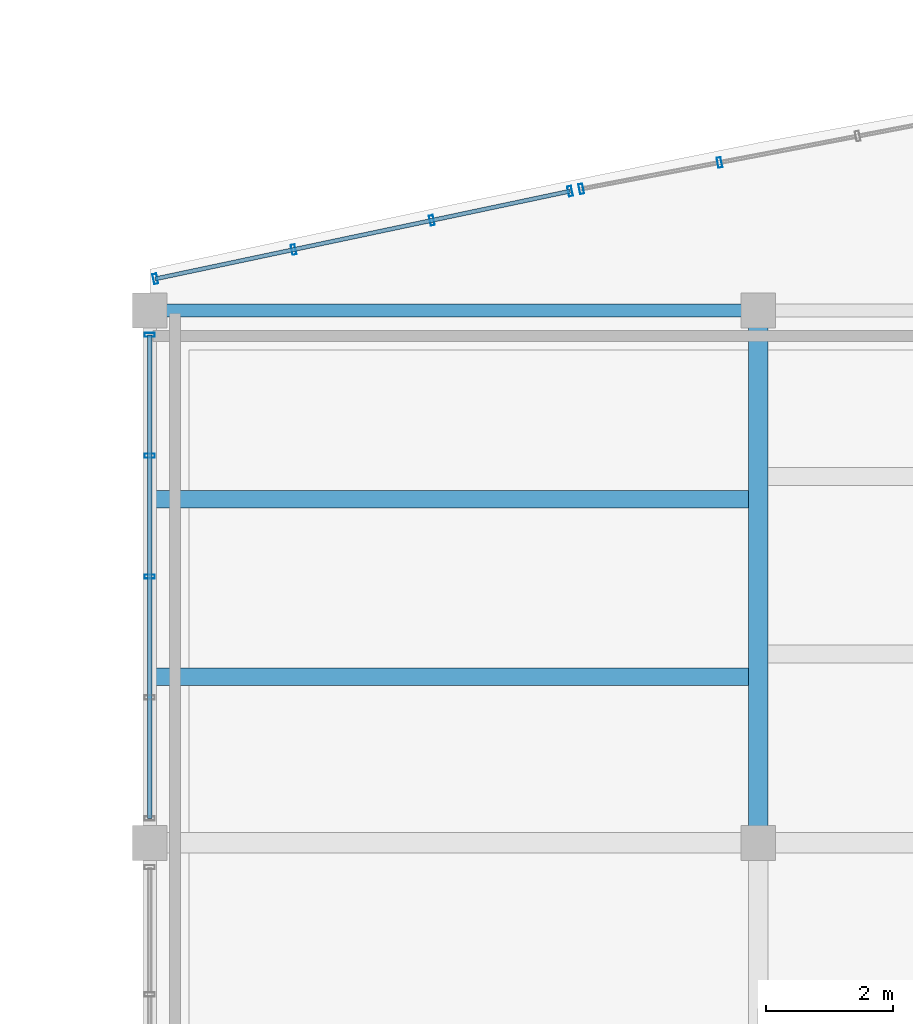
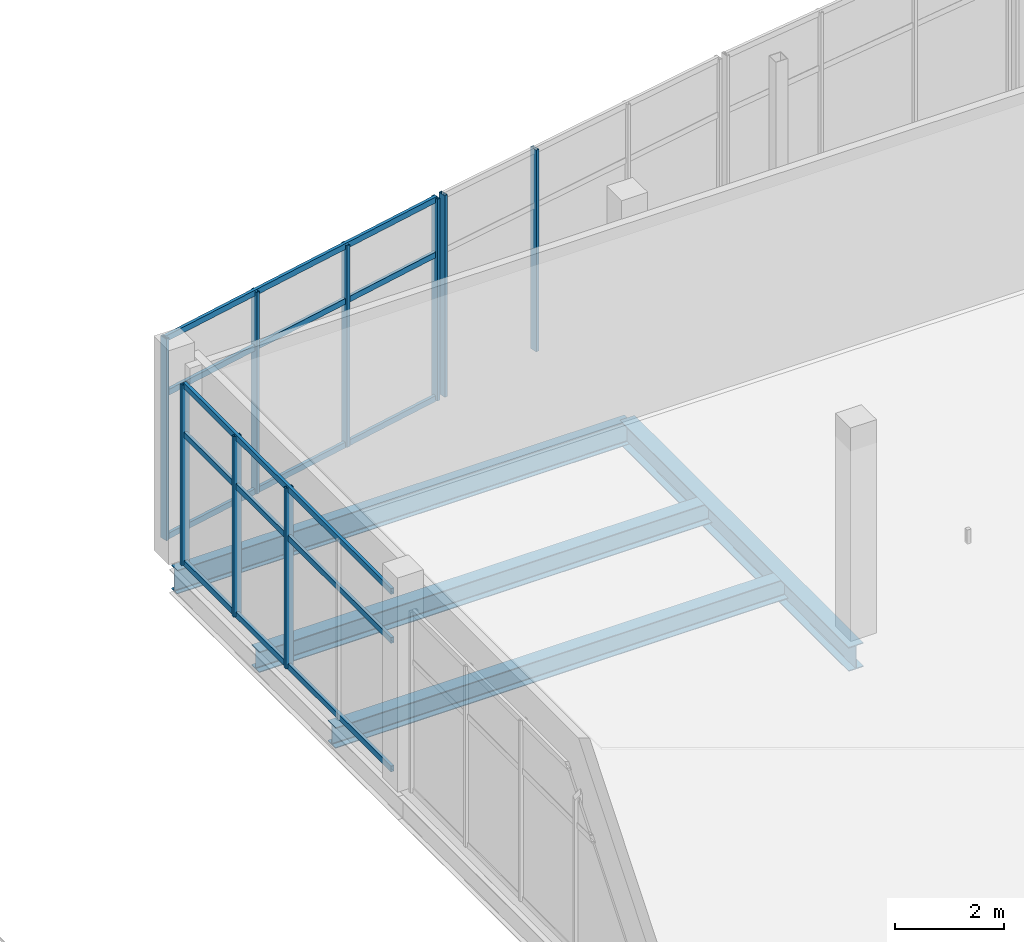
# One storey, part 77 of 157: 15 members, 4 beams, 3 elements without a shape of their own.
"""IFC4 building model written with IfcOpenShell, lengths in metres."""

from ifc_helpers import new_model, si_unit, direction, frame, origin, origin_2d, place, context, subcontext, project, spatial, hollow_rectangle, i_section, extrude, material, layer, layer_set, material_profile, profile_set, type_object, element, aggregate, save


model = new_model("IFC4")

# Units and contexts
model_context = context("Model", 3, precision=1e-05, world=origin(), true_north=direction((0.0, 1.0)))
body_context = subcontext(model_context, "Body", "Model", "MODEL_VIEW")
ifc_project = project(units=[si_unit("LENGTHUNIT", "METRE"), si_unit("AREAUNIT", "SQUARE_METRE"), si_unit("VOLUMEUNIT", "CUBIC_METRE"), si_unit("PLANEANGLEUNIT", "RADIAN"), si_unit("MASSUNIT", "GRAM", prefix="KILO")], contexts=[model_context])

# Site, building, storey
site_placement = place(None, origin())
site = spatial("IfcSite", under=ifc_project, at=site_placement, CompositionType="ELEMENT")
building_placement = place(site_placement, origin())
building = spatial("IfcBuilding", under=site, at=building_placement, Name="Chalmorin Arch Market", CompositionType="ELEMENT")
storey_placement = place(building_placement, frame((0.0, 0.0, 4.800048828125)))
storey = spatial("IfcBuildingStorey", under=building, at=storey_placement, Name="L01", CompositionType="ELEMENT", Elevation=4.800048828125)

# Curtain wall, members
ifc_material_1 = material(Name="Aluminium 6063-T6", Category="aluminium")
ifc_layer_1 = layer(ifc_material_1, 0.159912109375)
ifc_layer_set_1 = layer_set([ifc_layer_1], Name="Aluminium 6063-T6")
curtain_wall_type_1 = type_object("IfcCurtainWallType", Name="CulinaryStudioCurtainWall-CW3-7630x4050", PredefinedType="NOTDEFINED", material=ifc_layer_set_1)
curtain_wall_1_placement = place(storey_placement, origin())
curtain_wall_1 = element("IfcCurtainWall", 1, at=curtain_wall_1_placement, inside=storey, type_object=curtain_wall_type_1, Name="CW-03-118", PredefinedType="NOTDEFINED")
ifc_material_profile_1 = material_profile(ifc_material_1, hollow_rectangle(XDim=0.06494140625, YDim=0.159912109375, WallThickness=0.00390625, at=origin_2d()), Name="ALU65X160X4")
ifc_profile_set_1 = profile_set([ifc_material_profile_1], Name="Aluminium 6063-T6")
member_type_1 = type_object("IfcMemberType", Name="CurtainWallMullion-65x160", PredefinedType="MULLION", material=ifc_profile_set_1)
member_1_placement = place(storey_placement, frame((48.0, 113.800048828125, 0.0), z_axis=(0.0, 0.0, 1.0), x_axis=(0.0, 1.0, 0.0)))
member_1 = element("IfcMember", 2, at=member_1_placement, type_object=member_type_1, Name="ML-118-03", PredefinedType="MULLION", context=body_context, shape_type="SweptSolid", body=[
    extrude(hollow_rectangle(XDim=0.06494140625, YDim=0.159912109375, WallThickness=0.00390625, at=origin_2d()), origin(), (0.0, 0.0, 1.0), 4.0458984375),
])
member_2_placement = place(storey_placement, frame((48.0, 115.70751953125, 0.0), z_axis=(0.0, 0.0, 1.0), x_axis=(0.0, 1.0, 0.0)))
member_2 = element("IfcMember", 3, at=member_2_placement, type_object=member_type_1, Name="ML-118-04", PredefinedType="MULLION", context=body_context, shape_type="SweptSolid", body=[
    extrude(hollow_rectangle(XDim=0.06494140625, YDim=0.159912109375, WallThickness=0.00390625, at=origin_2d()), origin(), (0.0, 0.0, 1.0), 4.0458984375),
])
member_3_placement = place(storey_placement, frame((48.0, 117.614990234375, 0.0), z_axis=(0.0, 0.0, 1.0), x_axis=(0.0, 1.0, 0.0)))
member_3 = element("IfcMember", 4, at=member_3_placement, type_object=member_type_1, Name="ML-118-05", PredefinedType="MULLION", context=body_context, shape_type="SweptSolid", body=[
    extrude(hollow_rectangle(XDim=0.06494140625, YDim=0.159912109375, WallThickness=0.00390625, at=origin_2d()), origin(), (0.0, 0.0, 1.0), 4.0458984375),
])

ifc_layer_2 = layer(ifc_material_1, 0.159912109375)
ifc_layer_set_2 = layer_set([ifc_layer_2], Name="Aluminium 6063-T6")
curtain_wall_type_2 = type_object("IfcCurtainWallType", Name="CulinaryStudioCurtainWall-CW3-6690x4520", PredefinedType="NOTDEFINED", material=ifc_layer_set_2)
curtain_wall_2_placement = place(storey_placement, origin())
curtain_wall_2 = element("IfcCurtainWall", 5, at=curtain_wall_2_placement, inside=storey, type_object=curtain_wall_type_2, Name="CW-03-121", PredefinedType="NOTDEFINED")
member_4_placement = place(storey_placement, frame((48.088134765625, 118.49853515625, 0.0), z_axis=(0.0, 0.0, 1.0), x_axis=(0.978147600734, 0.207911690818, 0.0)))
member_4 = element("IfcMember", 6, at=member_4_placement, type_object=member_type_1, Name="ML-121-01", PredefinedType="MULLION", context=body_context, shape_type="SweptSolid", body=[
    extrude(hollow_rectangle(XDim=0.06494140625, YDim=0.159912109375, WallThickness=0.00390625, at=origin_2d()), origin(), (0.0, 0.0, 1.0), 4.52001953125),
])
member_5_placement = place(storey_placement, frame((50.269287109375, 118.9599609375, 0.0), z_axis=(0.0, 0.0, 1.0), x_axis=(0.978147600734, 0.207911690818, 0.0)))
member_5 = element("IfcMember", 7, at=member_5_placement, type_object=member_type_1, Name="ML-121-02", PredefinedType="MULLION", context=body_context, shape_type="SweptSolid", body=[
    extrude(hollow_rectangle(XDim=0.06494140625, YDim=0.159912109375, WallThickness=0.00390625, at=origin_2d()), origin(), (0.0, 0.0, 1.0), 4.52001953125),
])
member_6_placement = place(storey_placement, frame((52.45068359375, 119.421142578125, 0.0), z_axis=(0.0, 0.0, 1.0), x_axis=(0.978147600734, 0.207911690818, 0.0)))
member_6 = element("IfcMember", 8, at=member_6_placement, type_object=member_type_1, Name="ML-121-03", PredefinedType="MULLION", context=body_context, shape_type="SweptSolid", body=[
    extrude(hollow_rectangle(XDim=0.06494140625, YDim=0.159912109375, WallThickness=0.00390625, at=origin_2d()), origin(), (0.0, 0.0, 1.0), 4.52001953125),
])
member_7_placement = place(storey_placement, frame((54.6318359375, 119.88232421875, 0.0), z_axis=(0.0, 0.0, 1.0), x_axis=(0.978147600734, 0.207911690818, 0.0)))
member_7 = element("IfcMember", 9, at=member_7_placement, type_object=member_type_1, Name="ML-121-04", PredefinedType="MULLION", context=body_context, shape_type="SweptSolid", body=[
    extrude(hollow_rectangle(XDim=0.06494140625, YDim=0.159912109375, WallThickness=0.00390625, at=origin_2d()), origin(), (0.0, 0.0, 1.0), 4.52001953125),
])

ifc_layer_3 = layer(ifc_material_1, 0.159912109375)
ifc_layer_set_3 = layer_set([ifc_layer_3], Name="Aluminium 6063-T6")
curtain_wall_type_3 = type_object("IfcCurtainWallType", Name="CulinaryStudioCurtainWall-CW3-6660x4520", PredefinedType="NOTDEFINED", material=ifc_layer_set_3)
curtain_wall_3_placement = place(storey_placement, origin())
curtain_wall_3 = element("IfcCurtainWall", 10, at=curtain_wall_3_placement, inside=storey, type_object=curtain_wall_type_3, Name="CW-03-124", PredefinedType="NOTDEFINED")
member_8_placement = place(storey_placement, frame((54.808349609375, 119.91796875, 0.0), z_axis=(0.0, 0.0, 1.0), x_axis=(0.981627183448, 0.190808995377, 0.0)))
member_8 = element("IfcMember", 11, at=member_8_placement, type_object=member_type_1, Name="ML-124-01", PredefinedType="MULLION", context=body_context, shape_type="SweptSolid", body=[
    extrude(hollow_rectangle(XDim=0.06494140625, YDim=0.159912109375, WallThickness=0.00390625, at=origin_2d()), origin(), (0.0, 0.0, 1.0), 4.52001953125),
])
member_9_placement = place(storey_placement, frame((56.989501953125, 120.334228515625, 0.0), z_axis=(0.0, 0.0, 1.0), x_axis=(0.981627183448, 0.190808995377, 0.0)))
member_9 = element("IfcMember", 12, at=member_9_placement, type_object=member_type_1, Name="ML-124-02", PredefinedType="MULLION", context=body_context, shape_type="SweptSolid", body=[
    extrude(hollow_rectangle(XDim=0.06494140625, YDim=0.159912109375, WallThickness=0.00390625, at=origin_2d()), origin(), (0.0, 0.0, 1.0), 4.52001953125),
])
aggregate(curtain_wall_3, [member_8, member_9])

# Member
ifc_material_profile_2 = material_profile(ifc_material_1, hollow_rectangle(XDim=0.06494140625, YDim=0.1298828125, WallThickness=0.00390625, at=origin_2d()), Name="ALU65X130X4")
ifc_profile_set_2 = profile_set([ifc_material_profile_2], Name="Aluminium 6063-T6")
member_type_2 = type_object("IfcMemberType", Name="CurtainWallTransom-65x130", PredefinedType="USERDEFINED", material=ifc_profile_set_2)
member_10_placement = place(storey_placement, frame((48.0, 109.985107421875, 0.034912109375), z_axis=(0.0, 1.0, 0.0), x_axis=(-1.0, 0.0, 0.0)))
member_10 = element("IfcMember", 13, at=member_10_placement, type_object=member_type_2, Name="TR-118-01", ObjectType="TRANSOM", PredefinedType="USERDEFINED", context=body_context, shape_type="SweptSolid", body=[
    extrude(hollow_rectangle(XDim=0.06494140625, YDim=0.1298828125, WallThickness=0.00390625, at=origin_2d()), origin(), (0.0, 0.0, 1.0), 7.6298828125),
])

member_11_placement = place(storey_placement, frame((48.0, 109.985107421875, 2.9130859375), z_axis=(0.0, 1.0, 0.0), x_axis=(-1.0, 0.0, 0.0)))
member_11 = element("IfcMember", 14, at=member_11_placement, type_object=member_type_2, Name="TR-118-02", ObjectType="TRANSOM", PredefinedType="USERDEFINED", context=body_context, shape_type="SweptSolid", body=[
    extrude(hollow_rectangle(XDim=0.06494140625, YDim=0.1298828125, WallThickness=0.00390625, at=origin_2d()), origin(), (0.0, 0.0, 1.0), 7.6298828125),
])

member_12_placement = place(storey_placement, frame((48.0, 109.985107421875, 4.010986328125), z_axis=(0.0, 1.0, 0.0), x_axis=(-1.0, 0.0, 0.0)))
member_12 = element("IfcMember", 15, at=member_12_placement, type_object=member_type_2, Name="TR-118-03", ObjectType="TRANSOM", PredefinedType="USERDEFINED", context=body_context, shape_type="SweptSolid", body=[
    extrude(hollow_rectangle(XDim=0.06494140625, YDim=0.1298828125, WallThickness=0.00390625, at=origin_2d()), origin(), (0.0, 0.0, 1.0), 7.6298828125),
])

aggregate(curtain_wall_1, [member_1, member_2, member_3, member_10, member_11, member_12])

member_13_placement = place(storey_placement, frame((48.088134765625, 118.49853515625, 0.034912109375), z_axis=(0.978363487727, 0.206893416723, 0.0), x_axis=(-0.206893416723, 0.978363487727, 0.0)))
member_13 = element("IfcMember", 16, at=member_13_placement, type_object=member_type_2, Name="TR-121-01", ObjectType="TRANSOM", PredefinedType="USERDEFINED", context=body_context, shape_type="SweptSolid", body=[
    extrude(hollow_rectangle(XDim=0.06494140625, YDim=0.1298828125, WallThickness=0.00390625, at=origin_2d()), origin(), (0.0, 0.0, 1.0), 6.6884765625),
])

member_14_placement = place(storey_placement, frame((48.088134765625, 118.49853515625, 3.25439453125), z_axis=(0.978363487727, 0.206893416723, 0.0), x_axis=(-0.206893416723, 0.978363487727, 0.0)))
member_14 = element("IfcMember", 17, at=member_14_placement, type_object=member_type_2, Name="TR-121-02", ObjectType="TRANSOM", PredefinedType="USERDEFINED", context=body_context, shape_type="SweptSolid", body=[
    extrude(hollow_rectangle(XDim=0.06494140625, YDim=0.1298828125, WallThickness=0.00390625, at=origin_2d()), origin(), (0.0, 0.0, 1.0), 6.6884765625),
])

member_15_placement = place(storey_placement, frame((48.088134765625, 118.49853515625, 4.48486328125), z_axis=(0.978363487727, 0.206893416723, 0.0), x_axis=(-0.206893416723, 0.978363487727, 0.0)))
member_15 = element("IfcMember", 18, at=member_15_placement, type_object=member_type_2, Name="TR-121-03", ObjectType="TRANSOM", PredefinedType="USERDEFINED", context=body_context, shape_type="SweptSolid", body=[
    extrude(hollow_rectangle(XDim=0.06494140625, YDim=0.1298828125, WallThickness=0.00390625, at=origin_2d()), origin(), (0.0, 0.0, 1.0), 6.6884765625),
])

aggregate(curtain_wall_2, [member_4, member_5, member_6, member_7, member_13, member_14, member_15])

# Beams
ifc_material_2 = material(Name="Steel A992 Grade 50", Category="steel")
ifc_material_profile_3 = material_profile(ifc_material_2, i_section(OverallWidth=0.31201171875, OverallDepth=0.54296875, WebThickness=0.0126953125, FlangeThickness=0.020263671875, FilletRadius=0.02197265625, at=origin_2d()), Name="W21X101")
ifc_profile_set_3 = profile_set([ifc_material_profile_3], Name="Steel A992 Grade 50")
beam_type_1 = type_object("IfcBeamType", Name="KitchenSteelGirder-W21X101", PredefinedType="BEAM", material=ifc_profile_set_3)
beam_1_placement = place(storey_placement, frame((57.60009765625, 109.60009765625, -0.593505859375), z_axis=(0.0, 1.0, 0.0), x_axis=(-1.0, 0.0, 0.0)))
element("IfcBeam", 19, at=beam_1_placement, inside=storey, type_object=beam_type_1, Name="BG-W21C-0893", PredefinedType="BEAM", context=body_context, shape_type="SweptSolid", body=[
    extrude(i_section(OverallWidth=0.31201171875, OverallDepth=0.54296875, WebThickness=0.0126953125, FlangeThickness=0.020263671875, FilletRadius=0.02197265625, at=origin_2d()), origin(), (0.0, 0.0, 1.0), 8.39990234375),
])
ifc_material_profile_4 = material_profile(ifc_material_2, i_section(OverallWidth=0.208984375, OverallDepth=0.532958984375, WebThickness=0.01025390625, FlangeThickness=0.015625, FilletRadius=0.02197265625, at=origin_2d()), Name="W21X62")
ifc_profile_set_4 = profile_set([ifc_material_profile_4], Name="Steel A992 Grade 50")
beam_type_2 = type_object("IfcBeamType", Name="PerimeterSpandrelBeam-W21X62", PredefinedType="SPANDREL", material=ifc_profile_set_4)
beam_2_placement = place(storey_placement, frame((48.0, 118.0, -0.588623046875), z_axis=(1.0, 0.0, 0.0), x_axis=(0.0, 1.0, 0.0)))
element("IfcBeam", 20, at=beam_2_placement, inside=storey, type_object=beam_type_2, Name="SP-W21-0891", PredefinedType="SPANDREL", context=body_context, shape_type="SweptSolid", body=[
    extrude(i_section(OverallWidth=0.208984375, OverallDepth=0.532958984375, WebThickness=0.01025390625, FlangeThickness=0.015625, FilletRadius=0.02197265625, at=origin_2d()), origin(), (0.0, 0.0, 1.0), 9.60009765625),
])
ifc_material_profile_5 = material_profile(ifc_material_2, i_section(OverallWidth=0.280029296875, OverallDepth=0.462890625, WebThickness=0.0107421875, FlangeThickness=0.017333984375, FilletRadius=0.02001953125, at=origin_2d()), Name="W18X76")
ifc_profile_set_5 = profile_set([ifc_material_profile_5], Name="Steel A992 Grade 50")
beam_type_3 = type_object("IfcBeamType", Name="WorkshopSteelBeam-W18X76", PredefinedType="BEAM", material=ifc_profile_set_5)
for number, where, z_axis, x_axis, name in (
    (21, (48.0, 112.219970703125, -0.553466796875), (1.0, 0.0, 0.0), (0.0, 1.0, 0.0), "BM-W18C-0966"),
    (22, (48.0, 115.02001953125, -0.553466796875), (1.0, 0.0, 0.0), (0.0, 1.0, 0.0), "BM-W18C-0967"),
):
    element("IfcBeam", number, at=place(storey_placement, frame(where, z_axis=z_axis, x_axis=x_axis)), inside=storey, type_object=beam_type_3, Name=name, PredefinedType="BEAM", context=body_context, shape_type="SweptSolid", body=[
        extrude(i_section(OverallWidth=0.280029296875, OverallDepth=0.462890625, WebThickness=0.0107421875, FlangeThickness=0.017333984375, FilletRadius=0.02001953125, at=origin_2d()), origin(), (0.0, 0.0, 1.0), 9.60009765625),
    ])

save(model, "model.ifc")
